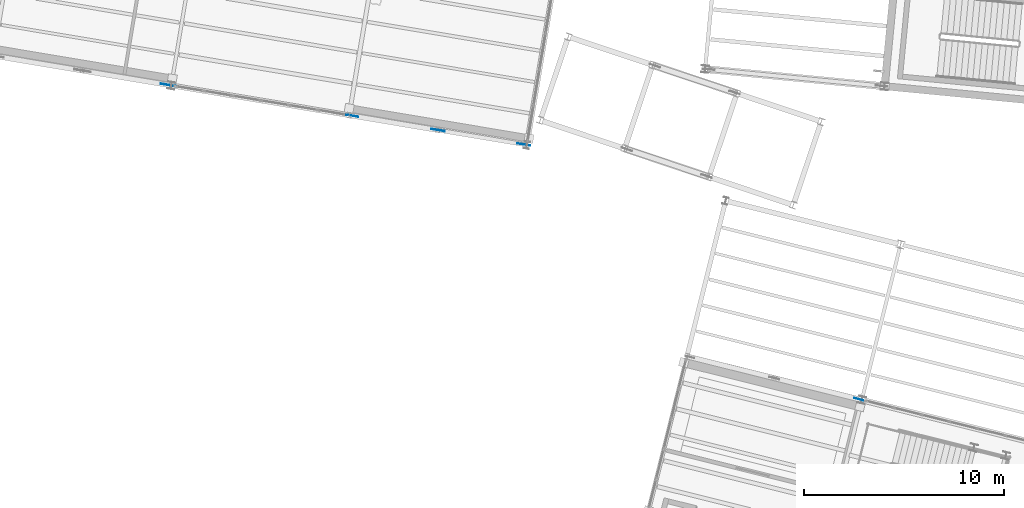
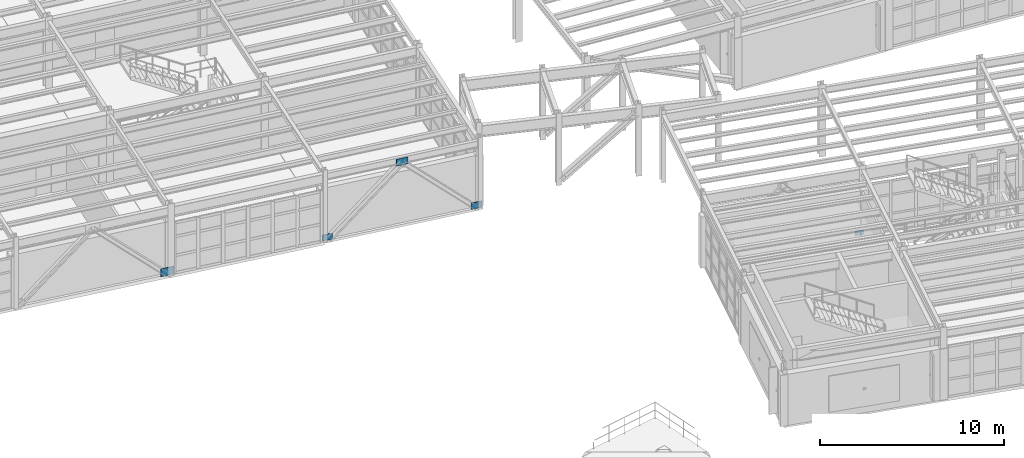
# One storey, part 79 of 109: 5 plates.
"""IFC4 building model written with IfcOpenShell, lengths in metres."""

from ifc_helpers import new_model, si_unit, direction, frame, origin, origin_2d, place, context, subcontext, project, spatial, rectangle, extrude, material, layer, layer_set, type_object, element, save


model = new_model("IFC4")

# Units and contexts
model_context = context("Model", 3, precision=1e-05, world=origin(), true_north=direction((0.0, 1.0)))
body_context = subcontext(model_context, "Body", "Model", "MODEL_VIEW")
ifc_project = project(units=[si_unit("LENGTHUNIT", "METRE"), si_unit("AREAUNIT", "SQUARE_METRE"), si_unit("VOLUMEUNIT", "CUBIC_METRE"), si_unit("PLANEANGLEUNIT", "RADIAN"), si_unit("MASSUNIT", "GRAM", prefix="KILO")], contexts=[model_context])

# Site, building, storey
site_placement = place(None, origin())
site = spatial("IfcSite", under=ifc_project, at=site_placement, CompositionType="ELEMENT")
building_placement = place(site_placement, origin())
building = spatial("IfcBuilding", under=site, at=building_placement, Name="Vireo Bluff Cable Station", CompositionType="ELEMENT")
storey_placement = place(building_placement, frame((0.0, 0.0, 4.800048828125)))
storey = spatial("IfcBuildingStorey", under=building, at=storey_placement, Name="L01", CompositionType="ELEMENT", Elevation=4.800048828125)

# Plates
ifc_material = material(Name="Steel ASTM A572 Gr. 50", Category="steel")
ifc_layer_1 = layer(ifc_material, 0.01904296875, Name="Steel ASTM A572 Gr. 50")
ifc_layer_set_1 = layer_set([ifc_layer_1], Name="Steel ASTM A572 Gr. 50")
plate_type_1 = type_object("IfcPlateType", Name="GUSSET-480X310X19", PredefinedType="USERDEFINED", material=ifc_layer_set_1)
plate_1_placement = place(storey_placement, frame((66.4482421875, 51.38623046875, 0.06494140625), z_axis=(0.0, 0.0, 1.0), x_axis=(0.970295726276, -0.2419218956, 0.0)))
element("IfcPlate", 1, at=plate_1_placement, inside=storey, type_object=plate_type_1, Name="V1 L01 brace base gusset plate 31", ObjectType="GUSSET PLATE", PredefinedType="USERDEFINED", context=body_context, shape_type="SweptSolid", body=[
    extrude(rectangle(XDim=0.47998046875, YDim=0.01904296875, at=origin_2d()), origin(), (0.0, 0.0, 1.0), 0.31005859375),
])
ifc_layer_2 = layer(ifc_material, 0.02490234375, Name="Steel ASTM A572 Gr. 50")
ifc_layer_set_2 = layer_set([ifc_layer_2], Name="Steel ASTM A572 Gr. 50")
plate_type_2 = type_object("IfcPlateType", Name="GUSSET-600X410X25", PredefinedType="USERDEFINED", material=ifc_layer_set_2)
plate_2_placement = place(storey_placement, frame((41.1640625, 65.531982421875, 0.01513671875), z_axis=(0.0, 0.0, 1.0), x_axis=(0.986285601537, -0.165047605861, 0.0)))
element("IfcPlate", 2, at=plate_2_placement, inside=storey, type_object=plate_type_2, Name="V4 L01 brace base gusset plate 194", ObjectType="GUSSET PLATE", PredefinedType="USERDEFINED", context=body_context, shape_type="SweptSolid", body=[
    extrude(rectangle(XDim=0.60009765625, YDim=0.02490234375, at=origin_2d()), origin(), (0.0, 0.0, 1.0), 0.409912109375),
])
ifc_layer_3 = layer(ifc_material, 0.027099609375, Name="Steel ASTM A572 Gr. 50")
ifc_layer_set_3 = layer_set([ifc_layer_3], Name="Steel ASTM A572 Gr. 50")
plate_type_3 = type_object("IfcPlateType", Name="GUSSET-640X430X27", PredefinedType="USERDEFINED", material=ifc_layer_set_3)
plate_3_placement = place(storey_placement, frame((49.72509765625, 64.099365234375, 0.0048828125), z_axis=(0.0, 0.0, 1.0), x_axis=(0.986285601537, -0.165047605861, 0.0)))
element("IfcPlate", 3, at=plate_3_placement, inside=storey, type_object=plate_type_3, Name="V4 L01 brace base gusset plate 195", ObjectType="GUSSET PLATE", PredefinedType="USERDEFINED", context=body_context, shape_type="SweptSolid", body=[
    extrude(rectangle(XDim=0.639892578125, YDim=0.027099609375, at=origin_2d()), origin(), (0.0, 0.0, 1.0), 0.429931640625),
])
ifc_layer_4 = layer(ifc_material, 0.029052734375, Name="Steel ASTM A572 Gr. 50")
ifc_layer_set_4 = layer_set([ifc_layer_4], Name="Steel ASTM A572 Gr. 50")
plate_type_4 = type_object("IfcPlateType", Name="GUSSET-680X460X29", PredefinedType="USERDEFINED", material=ifc_layer_set_4)
plate_4_placement = place(storey_placement, frame((45.444580078125, 64.815673828125, 3.949951171875), z_axis=(0.0, 0.0, 1.0), x_axis=(0.986285601537, -0.165047605861, 0.0)))
element("IfcPlate", 4, at=plate_4_placement, inside=storey, type_object=plate_type_4, Name="V4 L01 chevron gusset plate 196", ObjectType="GUSSET PLATE", PredefinedType="USERDEFINED", context=body_context, shape_type="SweptSolid", body=[
    extrude(rectangle(XDim=0.679931640625, YDim=0.029052734375, at=origin_2d()), origin(), (0.0, 0.0, 1.0), 0.4599609375),
])
ifc_layer_5 = layer(ifc_material, 0.032958984375, Name="Steel ASTM A572 Gr. 50")
ifc_layer_set_5 = layer_set([ifc_layer_5], Name="Steel ASTM A572 Gr. 50")
plate_type_5 = type_object("IfcPlateType", Name="GUSSET-760X530X33", PredefinedType="USERDEFINED", material=ifc_layer_set_5)
plate_5_placement = place(storey_placement, frame((31.971923828125, 67.070068359375, -0.044921875), z_axis=(0.0, 0.0, 1.0), x_axis=(0.986285601537, -0.165047605861, 0.0)))
element("IfcPlate", 5, at=plate_5_placement, inside=storey, type_object=plate_type_5, Name="V4 L01 brace base gusset plate 198", ObjectType="GUSSET PLATE", PredefinedType="USERDEFINED", context=body_context, shape_type="SweptSolid", body=[
    extrude(rectangle(XDim=0.760009765625, YDim=0.032958984375, at=origin_2d()), origin(), (0.0, 0.0, 1.0), 0.530029296875),
])

save(model, "model.ifc")
